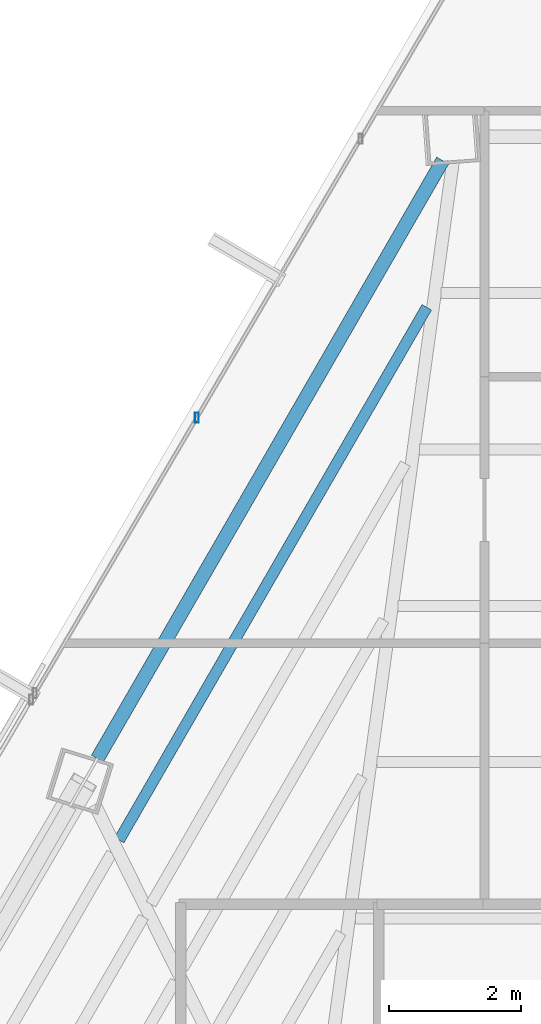
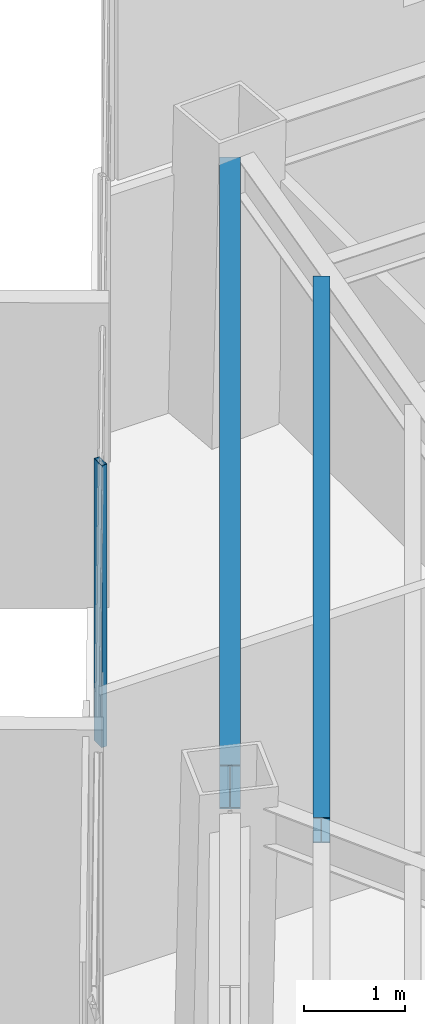
# One storey, part 27 of 42: 2 beams, 1 member, 1 element without a shape of its own.
"""IFC4 building model written with IfcOpenShell, lengths in metres."""

from ifc_helpers import new_model, si_unit, direction, frame, origin, origin_2d, place, context, subcontext, project, spatial, hollow_rectangle, i_section, extrude, source, transform, mapped, material, material_profile, profile_set, type_object, type_shapes, element, aggregate, save


model = new_model("IFC4")

# Units and contexts
model_context = context("Model", 3, precision=1e-05, world=origin(), true_north=direction((0.0, 1.0)))
body_context = subcontext(model_context, "Body", "Model", "MODEL_VIEW")
ifc_project = project(units=[si_unit("LENGTHUNIT", "METRE"), si_unit("AREAUNIT", "SQUARE_METRE"), si_unit("VOLUMEUNIT", "CUBIC_METRE"), si_unit("PLANEANGLEUNIT", "RADIAN"), si_unit("MASSUNIT", "GRAM", prefix="KILO")], contexts=[model_context])

# Site, building, storey
site_placement = place(None, origin())
site = spatial("IfcSite", under=ifc_project, at=site_placement, CompositionType="ELEMENT")
building_placement = place(site_placement, origin())
building = spatial("IfcBuilding", under=site, at=building_placement, Name="Caelisora Broadcast Tower", CompositionType="ELEMENT")
storey_placement = place(building_placement, frame((0.0, 0.0, 195.0)))
storey = spatial("IfcBuildingStorey", under=building, at=storey_placement, Name="L51", CompositionType="ELEMENT", Elevation=195.0)

# Beams
ifc_material_1 = material(Name="Steel Grade 350 (AS/NZS 3679.1)", Category="steel")
ifc_material_profile_1 = material_profile(ifc_material_1, i_section(OverallWidth=0.208984375, OverallDepth=0.532958984375, WebThickness=0.01025390625, FlangeThickness=0.015625, at=origin_2d()), Name="Steel Grade 350 (AS/NZS 3679.1)")
ifc_profile_set_1 = profile_set([ifc_material_profile_1], Name="Steel Grade 350 (AS/NZS 3679.1)")
beam_type_1 = type_object("IfcBeamType", Name="PG05", PredefinedType="BEAM", material=ifc_profile_set_1)
shared_shape_1 = source(origin(), body_context, "Body", "SweptSolid", [
    extrude(i_section(OverallWidth=0.208984375, OverallDepth=0.532958984375, WebThickness=0.01025390625, FlangeThickness=0.015625, at=origin_2d()), origin(), (0.0, 0.0, 1.0), 10.45849609375),
])
type_shapes(beam_type_1, [shared_shape_1])
beam_1_placement = place(storey_placement, frame((32.56640625, 46.212646484375, 3.133544921875), z_axis=(-0.499997940445, -0.866026592866, 0.0), x_axis=(0.866026592866, -0.499997940445, 0.0)))
element("IfcBeam", 1, at=beam_1_placement, inside=storey, type_object=beam_type_1, Name="L51 beam PG05", PredefinedType="BEAM", context=body_context, shape_type="MappedRepresentation", body=[
    mapped(shared_shape_1, transform((0.0, 0.0, 0.0), scale=1.0)),
])
ifc_material_profile_2 = material_profile(ifc_material_1, i_section(OverallWidth=0.166015625, OverallDepth=0.30712890625, WebThickness=0.006591796875, FlangeThickness=0.01171875, at=origin_2d()), Name="Steel Grade 350 (AS/NZS 3679.1)")
ifc_profile_set_2 = profile_set([ifc_material_profile_2], Name="Steel Grade 350 (AS/NZS 3679.1)")
beam_type_2 = type_object("IfcBeamType", Name="SB03", PredefinedType="JOIST", material=ifc_profile_set_2)
shared_shape_2 = source(origin(), body_context, "Body", "SweptSolid", [
    extrude(i_section(OverallWidth=0.166015625, OverallDepth=0.30712890625, WebThickness=0.006591796875, FlangeThickness=0.01171875, at=origin_2d()), origin(), (0.0, 0.0, 1.0), 9.31787109375),
])
type_shapes(beam_type_2, [shared_shape_2])
beam_2_placement = place(storey_placement, frame((32.325439453125, 43.990478515625, 3.246337890625), z_axis=(-0.499996886364, -0.866027201435, 0.0), x_axis=(0.866027201435, -0.499996886364, 0.0)))
element("IfcBeam", 2, at=beam_2_placement, inside=storey, type_object=beam_type_2, Name="L51 beam SB03", PredefinedType="JOIST", context=body_context, shape_type="MappedRepresentation", body=[
    mapped(shared_shape_2, transform((0.0, 0.0, 0.0), scale=1.0)),
])

# Curtain wall, member
ifc_material_2 = material(Name="Unitised Aluminium and Low-E Glass Curtain Wall", Category="glass")
curtain_wall_type = type_object("IfcCurtainWallType", Name="CW-Z4", PredefinedType="NOTDEFINED", material=ifc_material_2)
curtain_wall_placement = place(storey_placement, origin())
curtain_wall = element("IfcCurtainWall", 3, at=curtain_wall_placement, inside=storey, type_object=curtain_wall_type, Name="L51 curtain wall CW-Z4", PredefinedType="NOTDEFINED")
ifc_material_3 = material(Name="Aluminium 6063-T6 Anodised Terracotta Bronze", Category="aluminium")
ifc_material_profile_3 = material_profile(ifc_material_3, hollow_rectangle(XDim=0.06005859375, YDim=0.14990234375, WallThickness=0.00341796875, at=origin_2d()), Name="Aluminium 6063-T6 Anodised Terracotta Bronze")
ifc_profile_set_3 = profile_set([ifc_material_profile_3], Name="Aluminium 6063-T6 Anodised Terracotta Bronze")
member_type = type_object("IfcMemberType", Name="CWM-03", PredefinedType="MULLION", material=ifc_profile_set_3)
shared_shape_3 = source(origin(), body_context, "Body", "SweptSolid", [
    extrude(hollow_rectangle(XDim=0.06005859375, YDim=0.14990234375, WallThickness=0.00341796875, at=origin_2d()), origin(), (0.0, 0.0, 1.0), 3.39990234375),
])
type_shapes(member_type, [shared_shape_3])
member_placement = place(storey_placement, frame((28.844482421875, 42.320556640625, 0.0), z_axis=(0.0, 0.0, 1.0), x_axis=(1.0, 0.0, 0.0)))
member = element("IfcMember", 4, at=member_placement, type_object=member_type, Name="L51-CW-B11 mullion #1", PredefinedType="MULLION", context=body_context, shape_type="MappedRepresentation", body=[
    mapped(shared_shape_3, transform((0.0, 0.0, 0.0), scale=1.0)),
])
aggregate(curtain_wall, [member])

save(model, "model.ifc")
